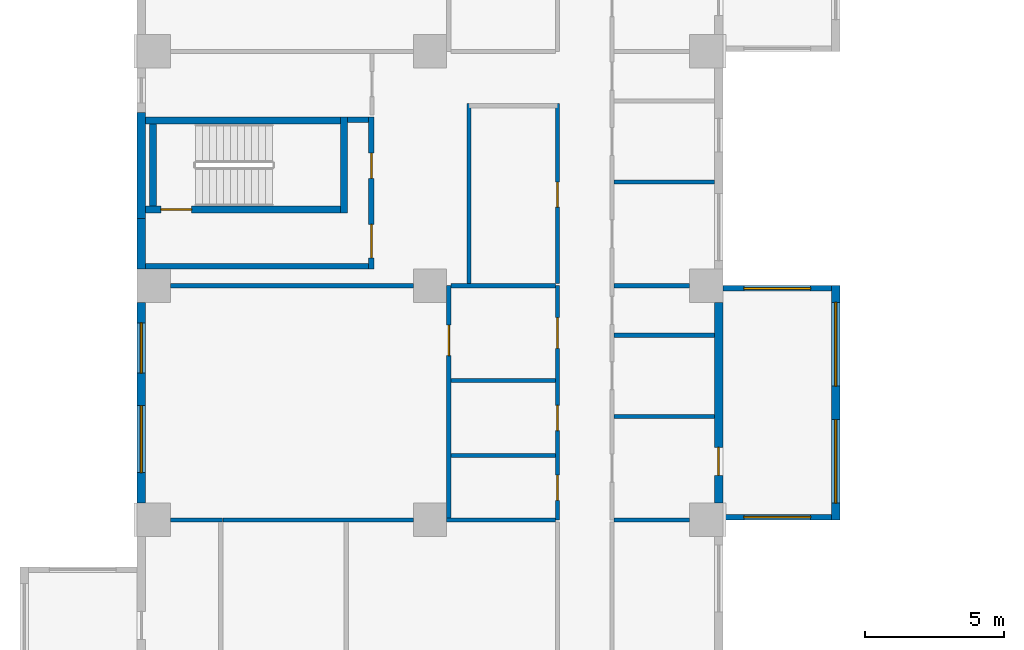
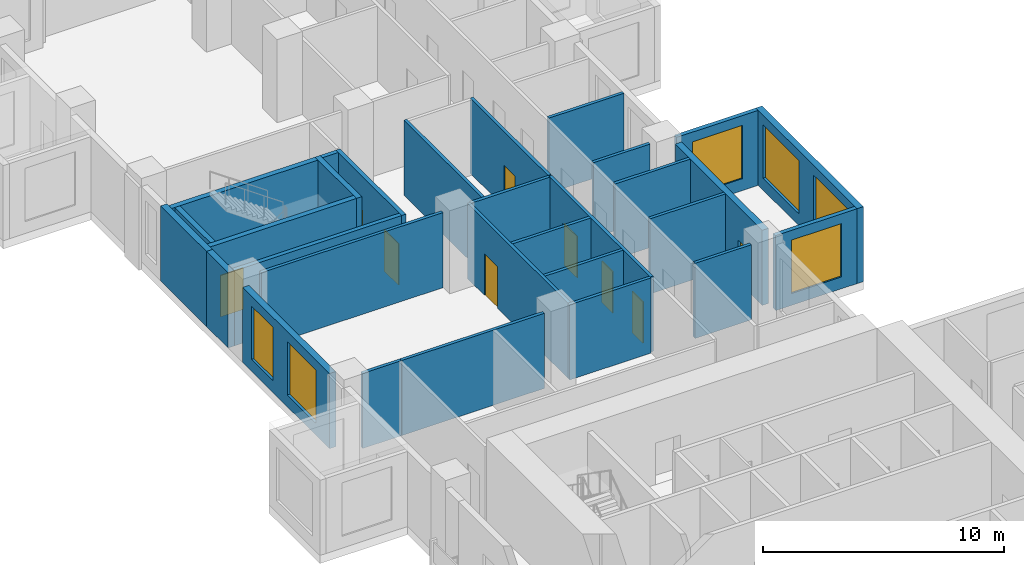
# One storey, part 8 of 17: 30 walls, 9 doors, 6 windows, 15 openings.
"""IFC4 building model written with IfcOpenShell, lengths in metres."""

from ifc_helpers import new_model, si_unit, direction, frame, frame_2d, origin, place, context, subcontext, project, spatial, rectangle, extrude, source, transform, mapped, material, layer, layer_set, type_object, element, fill, save


model = new_model("IFC4")

# Units and contexts
model_context = context("Model", 3, precision=1e-05, world=origin(), true_north=direction((0.0, 1.0)))
body_context = subcontext(model_context, "Body", "Model", "MODEL_VIEW")
ifc_project = project(units=[si_unit("LENGTHUNIT", "METRE"), si_unit("AREAUNIT", "SQUARE_METRE"), si_unit("VOLUMEUNIT", "CUBIC_METRE"), si_unit("PLANEANGLEUNIT", "RADIAN"), si_unit("MASSUNIT", "GRAM", prefix="KILO")], contexts=[model_context])

# Site, building, storey
site_placement = place(None, origin())
site = spatial("IfcSite", under=ifc_project, at=site_placement, CompositionType="ELEMENT")
building_placement = place(site_placement, origin())
building = spatial("IfcBuilding", under=site, at=building_placement, Name="Aurelian Terraces", CompositionType="ELEMENT")
storey_placement = place(building_placement, frame((0.0, 0.0, 48.9)))
storey = spatial("IfcBuildingStorey", under=building, at=storey_placement, Name="L09", CompositionType="ELEMENT", Elevation=48.9)

# Wall, openings, windows
ifc_material_1 = material(Name="Concrete fc' 40 MPa", Category="concrete")
ifc_layer_1 = layer(ifc_material_1, 0.3)
ifc_layer_set_1 = layer_set([ifc_layer_1], Name="BOX BEARING WALL 300")
wall_type_1 = type_object("IfcWallType", Name="BOX BEARING WALL 300", PredefinedType="SOLIDWALL", material=ifc_layer_set_1)
wall_1_placement = place(storey_placement, frame((25.05, 29.4, 0.0), z_axis=(0.0, 0.0, 1.0), x_axis=(0.0, 1.0, 0.0)))
wall_1 = element("IfcWall", 1, at=wall_1_placement, inside=storey, type_object=wall_type_1, Name="Box wall L09 J05", PredefinedType="SOLIDWALL", context=body_context, shape_type="SweptSolid", body=[
    extrude(rectangle(XDim=8.4, YDim=0.3, at=frame_2d((4.2, 0.0))), origin(), (0.0, 0.0, 1.0), 3.79),
])
shared_shape_1 = source(origin(), body_context, "Body", "SweptSolid", [
    extrude(rectangle(XDim=3.0, YDim=2.7, at=frame_2d((1.5, 1.35))), frame((0.0, 0.16, 0.0), z_axis=(0.0, -1.0, 0.0), x_axis=(1.0, 0.0, 0.0)), (0.0, 0.0, 1.0), 0.32),
])
opening_1_placement = place(wall_1_placement, frame((0.6, 0.0, 0.6)))
opening_1 = element("IfcOpeningElement", 2, at=opening_1_placement, cuts=wall_1, Name="Opening W3027", PredefinedType="OPENING", context=body_context, shape_type="MappedRepresentation", body=[
    mapped(shared_shape_1, transform((0.0, 0.0, 0.0), scale=1.0)),
])
opening_2_placement = place(wall_1_placement, frame((4.8, 0.0, 0.6)))
opening_2 = element("IfcOpeningElement", 3, at=opening_2_placement, cuts=wall_1, Name="Opening W3027", PredefinedType="OPENING", context=body_context, shape_type="MappedRepresentation", body=[
    mapped(shared_shape_1, transform((0.0, 0.0, 0.0), scale=1.0)),
])
ifc_material_2 = material(Name="Clear glazing", Category="glass")
window_type_1 = type_object("IfcWindowType", Name="W-3000x2700", PartitioningType="SINGLE_PANEL", PredefinedType="WINDOW", material=ifc_material_2)
shared_shape_2 = source(origin(), body_context, "Body", "SweptSolid", [
    extrude(rectangle(XDim=3.0, YDim=2.7, at=frame_2d((1.5, 1.35))), frame((0.0, 0.03, 0.0), z_axis=(0.0, -1.0, 0.0), x_axis=(1.0, 0.0, 0.0)), (0.0, 0.0, 1.0), 0.06),
])
window_1_placement = place(opening_1_placement, origin())
window_1 = element("IfcWindow", 4, at=window_1_placement, inside=storey, type_object=window_type_1, Name="Window L09 J05-F1", OverallHeight=2.7, OverallWidth=3.0, PartitioningType="SINGLE_PANEL", PredefinedType="WINDOW", context=body_context, shape_type="MappedRepresentation", body=[
    mapped(shared_shape_2, transform((0.0, 0.0, 0.0), scale=1.0)),
])
fill(opening_1, window_1)
window_2_placement = place(opening_2_placement, origin())
window_2 = element("IfcWindow", 5, at=window_2_placement, inside=storey, type_object=window_type_1, Name="Window L09 J05-F2", OverallHeight=2.7, OverallWidth=3.0, PartitioningType="SINGLE_PANEL", PredefinedType="WINDOW", context=body_context, shape_type="MappedRepresentation", body=[
    mapped(shared_shape_2, transform((0.0, 0.0, 0.0), scale=1.0)),
])
fill(opening_2, window_2)

# Wall, opening, door
ifc_material_3 = material(Name="Terracotta rainscreen cladding", Category="masonry")
ifc_layer_2 = layer(ifc_material_3, 0.3)
ifc_layer_set_2 = layer_set([ifc_layer_2], Name="EW-300")
wall_type_2 = type_object("IfcWallType", Name="EW-300", PredefinedType="STANDARD", material=ifc_layer_set_2)
shared_shape_3 = source(origin(), body_context, "Body", "SweptSolid", [
    extrude(rectangle(XDim=7.2, YDim=0.3, at=frame_2d((3.6, 0.0))), origin(), (0.0, 0.0, 1.0), 3.8),
])
wall_2_placement = place(storey_placement, frame((20.85, 30.0, 0.0), z_axis=(0.0, 0.0, 1.0), x_axis=(0.0, 1.0, 0.0)))
wall_2 = element("IfcWall", 6, at=wall_2_placement, inside=storey, type_object=wall_type_2, Name="External wall L09 F12.27", PredefinedType="STANDARD", context=body_context, shape_type="MappedRepresentation", body=[
    mapped(shared_shape_3, transform((0.0, 0.0, 0.0), scale=1.0)),
])
shared_shape_4 = source(origin(), body_context, "Body", "SweptSolid", [
    extrude(rectangle(XDim=1.0, YDim=2.1, at=frame_2d((0.5, 1.05))), frame((0.0, 0.16, 0.0), z_axis=(0.0, -1.0, 0.0), x_axis=(1.0, 0.0, 0.0)), (0.0, 0.0, 1.0), 0.32),
])
opening_3_placement = place(wall_2_placement, frame((1.0, 0.0, 0.0)))
opening_3 = element("IfcOpeningElement", 7, at=opening_3_placement, cuts=wall_2, Name="Opening 809005", PredefinedType="OPENING", context=body_context, shape_type="MappedRepresentation", body=[
    mapped(shared_shape_4, transform((0.0, 0.0, 0.0), scale=1.0)),
])
ifc_material_4 = material(Name="Timber door leaf", Category="wood")
door_type_1 = type_object("IfcDoorType", Name="Room door 1000x2100 left", OperationType="SINGLE_SWING_LEFT", PredefinedType="DOOR", material=ifc_material_4)
shared_shape_5 = source(origin(), body_context, "Body", "SweptSolid", [
    extrude(rectangle(XDim=1.0, YDim=2.1, at=frame_2d((0.5, 1.05))), frame((0.0, 0.025, 0.0), z_axis=(0.0, -1.0, 0.0), x_axis=(1.0, 0.0, 0.0)), (0.0, 0.0, 1.0), 0.05),
])
door_1_placement = place(opening_3_placement, origin())
door_1 = element("IfcDoor", 8, at=door_1_placement, inside=storey, type_object=door_type_1, Name="Door 809005", OperationType="SINGLE_SWING_LEFT", OverallHeight=2.1, OverallWidth=1.0, PredefinedType="DOOR", context=body_context, shape_type="MappedRepresentation", body=[
    mapped(shared_shape_5, transform((0.0, 0.0, 0.0), scale=1.0)),
])
fill(opening_3, door_1)

# Wall, openings, windows
wall_3_placement = place(storey_placement, frame((0.15, 37.2, 0.0), z_axis=(0.0, 0.0, 1.0), x_axis=(0.0, -1.0, 0.0)))
wall_3 = element("IfcWall", 9, at=wall_3_placement, inside=storey, type_object=wall_type_2, Name="External wall L09 F18.40", PredefinedType="STANDARD", context=body_context, shape_type="MappedRepresentation", body=[
    mapped(shared_shape_3, transform((0.0, 0.0, 0.0), scale=1.0)),
])
shared_shape_6 = source(origin(), body_context, "Body", "SweptSolid", [
    extrude(rectangle(XDim=1.8, YDim=2.7, at=frame_2d((0.9, 1.35))), frame((0.0, 0.16, 0.0), z_axis=(0.0, -1.0, 0.0), x_axis=(1.0, 0.0, 0.0)), (0.0, 0.0, 1.0), 0.32),
])
opening_4_placement = place(wall_3_placement, frame((0.7375, 0.0, 0.6)))
opening_4 = element("IfcOpeningElement", 10, at=opening_4_placement, cuts=wall_3, Name="Opening W1827", PredefinedType="OPENING", context=body_context, shape_type="MappedRepresentation", body=[
    mapped(shared_shape_6, transform((0.0, 0.0, 0.0), scale=1.0)),
])
shared_shape_7 = source(origin(), body_context, "Body", "SweptSolid", [
    extrude(rectangle(XDim=2.4, YDim=2.7, at=frame_2d((1.2, 1.35))), frame((0.0, 0.16, 0.0), z_axis=(0.0, -1.0, 0.0), x_axis=(1.0, 0.0, 0.0)), (0.0, 0.0, 1.0), 0.32),
])
opening_5_placement = place(wall_3_placement, frame((3.7, 0.0, 0.6)))
opening_5 = element("IfcOpeningElement", 11, at=opening_5_placement, cuts=wall_3, Name="Opening W2427", PredefinedType="OPENING", context=body_context, shape_type="MappedRepresentation", body=[
    mapped(shared_shape_7, transform((0.0, 0.0, 0.0), scale=1.0)),
])
window_type_2 = type_object("IfcWindowType", Name="W-2400x2700", PartitioningType="SINGLE_PANEL", PredefinedType="WINDOW", material=ifc_material_2)
shared_shape_8 = source(origin(), body_context, "Body", "SweptSolid", [
    extrude(rectangle(XDim=2.4, YDim=2.7, at=frame_2d((1.2, 1.35))), frame((0.0, 0.03, 0.0), z_axis=(0.0, -1.0, 0.0), x_axis=(1.0, 0.0, 0.0)), (0.0, 0.0, 1.0), 0.06),
])
window_3_placement = place(opening_5_placement, origin())
window_3 = element("IfcWindow", 12, at=window_3_placement, inside=storey, type_object=window_type_2, Name="Window L09 L09-F18-40-P6.2", OverallHeight=2.7, OverallWidth=2.4, PartitioningType="SINGLE_PANEL", PredefinedType="WINDOW", context=body_context, shape_type="MappedRepresentation", body=[
    mapped(shared_shape_8, transform((0.0, 0.0, 0.0), scale=1.0)),
])
fill(opening_5, window_3)
window_type_3 = type_object("IfcWindowType", Name="W-1800x2700", PartitioningType="SINGLE_PANEL", PredefinedType="WINDOW", material=ifc_material_2)
shared_shape_9 = source(origin(), body_context, "Body", "SweptSolid", [
    extrude(rectangle(XDim=1.8, YDim=2.7, at=frame_2d((0.9, 1.35))), frame((0.0, 0.03, 0.0), z_axis=(0.0, -1.0, 0.0), x_axis=(1.0, 0.0, 0.0)), (0.0, 0.0, 1.0), 0.06),
])
window_4_placement = place(opening_4_placement, origin())
window_4 = element("IfcWindow", 13, at=window_4_placement, inside=storey, type_object=window_type_3, Name="Window L09 L09-F18-40-P6.1", OverallHeight=2.7, OverallWidth=1.8, PartitioningType="SINGLE_PANEL", PredefinedType="WINDOW", context=body_context, shape_type="MappedRepresentation", body=[
    mapped(shared_shape_9, transform((0.0, 0.0, 0.0), scale=1.0)),
])
fill(opening_4, window_4)

# Walls
ifc_layer_3 = layer(ifc_material_1, 0.3)
ifc_layer_set_3 = layer_set([ifc_layer_3], Name="STAIR BAY WALL 300")
wall_type_3 = type_object("IfcWallType", Name="STAIR BAY WALL 300", PredefinedType="SOLIDWALL", material=ifc_layer_set_3)
shared_shape_10 = source(origin(), body_context, "Body", "SweptSolid", [
    extrude(rectangle(XDim=3.8, YDim=0.3, at=frame_2d((1.9, 0.0))), origin(), (0.0, 0.0, 1.0), 3.8),
])
wall_4_placement = place(storey_placement, frame((0.15, 44.0, 0.0), z_axis=(0.0, 0.0, 1.0), x_axis=(0.0, -1.0, 0.0)))
element("IfcWall", 14, at=wall_4_placement, inside=storey, type_object=wall_type_3, Name="Stair bay wall L09 F18.40", PredefinedType="SOLIDWALL", context=body_context, shape_type="MappedRepresentation", body=[
    mapped(shared_shape_10, transform((0.0, 0.0, 0.0), scale=1.0)),
])
shared_shape_11 = source(origin(), body_context, "Body", "SweptSolid", [
    extrude(rectangle(XDim=1.8, YDim=0.3, at=frame_2d((0.9, 0.0))), origin(), (0.0, 0.0, 1.0), 3.8),
])
wall_5_placement = place(storey_placement, frame((0.15, 40.2, 0.0), z_axis=(0.0, 0.0, 1.0), x_axis=(0.0, -1.0, 0.0)))
element("IfcWall", 15, at=wall_5_placement, inside=storey, type_object=wall_type_2, Name="External wall L09 F18.40", PredefinedType="STANDARD", context=body_context, shape_type="MappedRepresentation", body=[
    mapped(shared_shape_11, transform((0.0, 0.0, 0.0), scale=1.0)),
])

# Wall, opening, window
ifc_layer_4 = layer(ifc_material_1, 0.2)
ifc_layer_set_4 = layer_set([ifc_layer_4], Name="BOX BEARING WALL 200")
wall_type_4 = type_object("IfcWallType", Name="BOX BEARING WALL 200", PredefinedType="SOLIDWALL", material=ifc_layer_set_4)
shared_shape_12 = source(origin(), body_context, "Body", "SweptSolid", [
    extrude(rectangle(XDim=3.9, YDim=0.2, at=frame_2d((1.95, 0.0))), origin(), (0.0, 0.0, 1.0), 3.79),
])
wall_6_placement = place(storey_placement, frame((21.0, 29.5, 0.0), z_axis=(0.0, 0.0, 1.0), x_axis=(1.0, 0.0, 0.0)))
wall_6 = element("IfcWall", 16, at=wall_6_placement, inside=storey, type_object=wall_type_4, Name="Box return L09 J05.1", PredefinedType="SOLIDWALL", context=body_context, shape_type="MappedRepresentation", body=[
    mapped(shared_shape_12, transform((0.0, 0.0, 0.0), scale=1.0)),
])
shared_shape_13 = source(origin(), body_context, "Body", "SweptSolid", [
    extrude(rectangle(XDim=2.4, YDim=2.7, at=frame_2d((1.2, 1.35))), frame((0.0, 0.11, 0.0), z_axis=(0.0, -1.0, 0.0), x_axis=(1.0, 0.0, 0.0)), (0.0, 0.0, 1.0), 0.22),
])
opening_6_placement = place(wall_6_placement, frame((0.75, 0.0, 0.6)))
opening_6 = element("IfcOpeningElement", 17, at=opening_6_placement, cuts=wall_6, Name="Opening W2427", PredefinedType="OPENING", context=body_context, shape_type="MappedRepresentation", body=[
    mapped(shared_shape_13, transform((0.0, 0.0, 0.0), scale=1.0)),
])
window_5_placement = place(opening_6_placement, origin())
window_5 = element("IfcWindow", 18, at=window_5_placement, inside=storey, type_object=window_type_2, Name="Window L09 J05-S1", OverallHeight=2.7, OverallWidth=2.4, PartitioningType="SINGLE_PANEL", PredefinedType="WINDOW", context=body_context, shape_type="MappedRepresentation", body=[
    mapped(shared_shape_8, transform((0.0, 0.0, 0.0), scale=1.0)),
])
fill(opening_6, window_5)

wall_7_placement = place(storey_placement, frame((21.0, 37.7, 0.0), z_axis=(0.0, 0.0, 1.0), x_axis=(1.0, 0.0, 0.0)))
wall_7 = element("IfcWall", 19, at=wall_7_placement, inside=storey, type_object=wall_type_4, Name="Box return L09 J05.2", PredefinedType="SOLIDWALL", context=body_context, shape_type="MappedRepresentation", body=[
    mapped(shared_shape_12, transform((0.0, 0.0, 0.0), scale=1.0)),
])
opening_7_placement = place(wall_7_placement, frame((0.75, 0.0, 0.6)))
opening_7 = element("IfcOpeningElement", 20, at=opening_7_placement, cuts=wall_7, Name="Opening W2427", PredefinedType="OPENING", context=body_context, shape_type="MappedRepresentation", body=[
    mapped(shared_shape_13, transform((0.0, 0.0, 0.0), scale=1.0)),
])
window_6_placement = place(opening_7_placement, origin())
window_6 = element("IfcWindow", 21, at=window_6_placement, inside=storey, type_object=window_type_2, Name="Window L09 J05-S2", OverallHeight=2.7, OverallWidth=2.4, PartitioningType="SINGLE_PANEL", PredefinedType="WINDOW", context=body_context, shape_type="MappedRepresentation", body=[
    mapped(shared_shape_8, transform((0.0, 0.0, 0.0), scale=1.0)),
])
fill(opening_7, window_6)

# Wall, opening, door
ifc_layer_5 = layer(ifc_material_1, 0.25)
ifc_layer_set_5 = layer_set([ifc_layer_5], Name="Stair enclosure wall 250")
wall_type_5 = type_object("IfcWallType", Name="Stair enclosure wall 250", PredefinedType="SOLIDWALL", material=ifc_layer_set_5)
shared_shape_14 = source(origin(), body_context, "Body", "SweptSolid", [
    extrude(rectangle(XDim=7.0, YDim=0.25, at=frame_2d((3.5, 0.0))), origin(), (0.0, 0.0, 1.0), 3.8),
])
wall_8_placement = place(storey_placement, frame((0.3, 40.525, 0.0), z_axis=(0.0, 0.0, 1.0), x_axis=(1.0, 0.0, 0.0)))
wall_8 = element("IfcWall", 22, at=wall_8_placement, inside=storey, type_object=wall_type_5, Name="L09 core wall ST-S3-W", PredefinedType="SOLIDWALL", context=body_context, shape_type="MappedRepresentation", body=[
    mapped(shared_shape_14, transform((0.0, 0.0, 0.0), scale=1.0)),
])
shared_shape_15 = source(origin(), body_context, "Body", "SweptSolid", [
    extrude(rectangle(XDim=1.1, YDim=2.1, at=frame_2d((0.55, 1.05))), frame((0.0, 0.135, 0.0), z_axis=(0.0, -1.0, 0.0), x_axis=(1.0, 0.0, 0.0)), (0.0, 0.0, 1.0), 0.27),
])
opening_8_placement = place(wall_8_placement, frame((0.55, 0.0, 0.0)))
opening_8 = element("IfcOpeningElement", 23, at=opening_8_placement, cuts=wall_8, Name="Opening 61217", PredefinedType="OPENING", context=body_context, shape_type="MappedRepresentation", body=[
    mapped(shared_shape_15, transform((0.0, 0.0, 0.0), scale=1.0)),
])
ifc_material_5 = material(Name="Steel door leaf", Category="steel")
door_type_2 = type_object("IfcDoorType", Name="Core fire door 1100x2100 right", OperationType="SINGLE_SWING_RIGHT", PredefinedType="DOOR", material=ifc_material_5)
shared_shape_16 = source(origin(), body_context, "Body", "SweptSolid", [
    extrude(rectangle(XDim=1.1, YDim=2.1, at=frame_2d((0.55, 1.05))), frame((0.0, 0.025, 0.0), z_axis=(0.0, -1.0, 0.0), x_axis=(1.0, 0.0, 0.0)), (0.0, 0.0, 1.0), 0.05),
])
door_2_placement = place(opening_8_placement, origin())
door_2 = element("IfcDoor", 24, at=door_2_placement, inside=storey, type_object=door_type_2, Name="Stair door 61217", OperationType="SINGLE_SWING_RIGHT", OverallHeight=2.1, OverallWidth=1.1, PredefinedType="DOOR", context=body_context, shape_type="MappedRepresentation", body=[
    mapped(shared_shape_16, transform((0.0, 0.0, 0.0), scale=1.0)),
])
fill(opening_8, door_2)

# Walls
wall_9_placement = place(storey_placement, frame((0.3, 43.725, 0.0), z_axis=(0.0, 0.0, 1.0), x_axis=(1.0, 0.0, 0.0)))
element("IfcWall", 25, at=wall_9_placement, inside=storey, type_object=wall_type_5, Name="L09 core wall ST-S3-E", PredefinedType="SOLIDWALL", context=body_context, shape_type="MappedRepresentation", body=[
    mapped(shared_shape_14, transform((0.0, 0.0, 0.0), scale=1.0)),
])
shared_shape_17 = source(origin(), body_context, "Body", "SweptSolid", [
    extrude(rectangle(XDim=3.45, YDim=0.25, at=frame_2d((1.725, 0.0))), origin(), (0.0, 0.0, 1.0), 3.8),
])
wall_10_placement = place(storey_placement, frame((7.425, 40.4, 0.0), z_axis=(0.0, 0.0, 1.0), x_axis=(0.0, 1.0, 0.0)))
element("IfcWall", 26, at=wall_10_placement, inside=storey, type_object=wall_type_5, Name="L09 core wall ST-S3-N", PredefinedType="SOLIDWALL", context=body_context, shape_type="MappedRepresentation", body=[
    mapped(shared_shape_17, transform((0.0, 0.0, 0.0), scale=1.0)),
])
shared_shape_18 = source(origin(), body_context, "Body", "SweptSolid", [
    extrude(rectangle(XDim=2.95, YDim=0.25, at=frame_2d((1.475, 0.0))), origin(), (0.0, 0.0, 1.0), 3.8),
])
wall_11_placement = place(storey_placement, frame((0.575, 40.65, 0.0), z_axis=(0.0, 0.0, 1.0), x_axis=(0.0, 1.0, 0.0)))
element("IfcWall", 27, at=wall_11_placement, inside=storey, type_object=wall_type_5, Name="L09 core wall ST-S3-SS", PredefinedType="SOLIDWALL", context=body_context, shape_type="MappedRepresentation", body=[
    mapped(shared_shape_18, transform((0.0, 0.0, 0.0), scale=1.0)),
])
ifc_material_6 = material(Name="Gypsum board on steel studs", Category="steel")
ifc_layer_6 = layer(ifc_material_6, 0.2)
ifc_layer_set_6 = layer_set([ifc_layer_6], Name="Core partition 200")
wall_type_6 = type_object("IfcWallType", Name="Core partition 200", PredefinedType="PARTITIONING", material=ifc_layer_set_6)
shared_shape_19 = source(origin(), body_context, "Body", "SweptSolid", [
    extrude(rectangle(XDim=8.0, YDim=0.2, at=frame_2d((4.0, 0.0))), origin(), (0.0, 0.0, 1.0), 3.8),
])
wall_12_placement = place(storey_placement, frame((0.3, 38.5, 0.0), z_axis=(0.0, 0.0, 1.0), x_axis=(1.0, 0.0, 0.0)))
element("IfcWall", 28, at=wall_12_placement, inside=storey, type_object=wall_type_6, Name="L09 core wall ST-S3-VW", PredefinedType="PARTITIONING", context=body_context, shape_type="MappedRepresentation", body=[
    mapped(shared_shape_19, transform((0.0, 0.0, 0.0), scale=1.0)),
])

# Wall, openings, doors
shared_shape_20 = source(origin(), body_context, "Body", "SweptSolid", [
    extrude(rectangle(XDim=5.45, YDim=0.2, at=frame_2d((2.725, 0.0))), origin(), (0.0, 0.0, 1.0), 3.8),
])
wall_13_placement = place(storey_placement, frame((8.4, 38.4, 0.0), z_axis=(0.0, 0.0, 1.0), x_axis=(0.0, 1.0, 0.0)))
wall_13 = element("IfcWall", 29, at=wall_13_placement, inside=storey, type_object=wall_type_6, Name="L09 core wall ST-S3-BN", PredefinedType="PARTITIONING", context=body_context, shape_type="MappedRepresentation", body=[
    mapped(shared_shape_20, transform((0.0, 0.0, 0.0), scale=1.0)),
])
shared_shape_21 = source(origin(), body_context, "Body", "SweptSolid", [
    extrude(rectangle(XDim=1.2, YDim=2.1, at=frame_2d((0.6, 1.05))), frame((0.0, 0.11, 0.0), z_axis=(0.0, -1.0, 0.0), x_axis=(1.0, 0.0, 0.0)), (0.0, 0.0, 1.0), 0.22),
])
opening_9_placement = place(wall_13_placement, frame((0.4, 0.0, 0.0)))
opening_9 = element("IfcOpeningElement", 30, at=opening_9_placement, cuts=wall_13, Name="Opening 61218", PredefinedType="OPENING", context=body_context, shape_type="MappedRepresentation", body=[
    mapped(shared_shape_21, transform((0.0, 0.0, 0.0), scale=1.0)),
])
shared_shape_22 = source(origin(), body_context, "Body", "SweptSolid", [
    extrude(rectangle(XDim=0.9, YDim=2.1, at=frame_2d((0.45, 1.05))), frame((0.0, 0.11, 0.0), z_axis=(0.0, -1.0, 0.0), x_axis=(1.0, 0.0, 0.0)), (0.0, 0.0, 1.0), 0.22),
])
opening_10_placement = place(wall_13_placement, frame((3.25, 0.0, 0.0)))
opening_10 = element("IfcOpeningElement", 31, at=opening_10_placement, cuts=wall_13, Name="Opening 61219", PredefinedType="OPENING", context=body_context, shape_type="MappedRepresentation", body=[
    mapped(shared_shape_22, transform((0.0, 0.0, 0.0), scale=1.0)),
])
door_type_3 = type_object("IfcDoorType", Name="Core riser door 900x2100 right", OperationType="SINGLE_SWING_RIGHT", PredefinedType="DOOR", material=ifc_material_5)
shared_shape_23 = source(origin(), body_context, "Body", "SweptSolid", [
    extrude(rectangle(XDim=0.9, YDim=2.1, at=frame_2d((0.45, 1.05))), frame((0.0, 0.025, 0.0), z_axis=(0.0, -1.0, 0.0), x_axis=(1.0, 0.0, 0.0)), (0.0, 0.0, 1.0), 0.05),
])
door_3_placement = place(opening_10_placement, origin())
door_3 = element("IfcDoor", 32, at=door_3_placement, inside=storey, type_object=door_type_3, Name="Riser door 61219", OperationType="SINGLE_SWING_RIGHT", OverallHeight=2.1, OverallWidth=0.9, PredefinedType="DOOR", context=body_context, shape_type="MappedRepresentation", body=[
    mapped(shared_shape_23, transform((0.0, 0.0, 0.0), scale=1.0)),
])
fill(opening_10, door_3)
door_type_4 = type_object("IfcDoorType", Name="Core fire door 1200x2100", OperationType="SINGLE_SWING_LEFT", PredefinedType="DOOR", material=ifc_material_5)
shared_shape_24 = source(origin(), body_context, "Body", "SweptSolid", [
    extrude(rectangle(XDim=1.2, YDim=2.1, at=frame_2d((0.6, 1.05))), frame((0.0, 0.025, 0.0), z_axis=(0.0, -1.0, 0.0), x_axis=(1.0, 0.0, 0.0)), (0.0, 0.0, 1.0), 0.05),
])
door_4_placement = place(opening_9_placement, origin())
door_4 = element("IfcDoor", 33, at=door_4_placement, inside=storey, type_object=door_type_4, Name="Vestibule door 61218", OperationType="SINGLE_SWING_LEFT", OverallHeight=2.1, OverallWidth=1.2, PredefinedType="DOOR", context=body_context, shape_type="MappedRepresentation", body=[
    mapped(shared_shape_24, transform((0.0, 0.0, 0.0), scale=1.0)),
])
fill(opening_9, door_4)

# Walls
shared_shape_25 = source(origin(), body_context, "Body", "SweptSolid", [
    extrude(rectangle(XDim=0.75, YDim=0.2, at=frame_2d((0.375, 0.0))), origin(), (0.0, 0.0, 1.0), 3.8),
])
wall_14_placement = place(storey_placement, frame((7.55, 43.75, 0.0), z_axis=(0.0, 0.0, 1.0), x_axis=(1.0, 0.0, 0.0)))
element("IfcWall", 34, at=wall_14_placement, inside=storey, type_object=wall_type_6, Name="L09 core wall ST-S3-RE", PredefinedType="PARTITIONING", context=body_context, shape_type="MappedRepresentation", body=[
    mapped(shared_shape_25, transform((0.0, 0.0, 0.0), scale=1.0)),
])
ifc_layer_7 = layer(ifc_material_6, 0.15)
ifc_layer_set_7 = layer_set([ifc_layer_7], Name="Partition 150")
wall_type_7 = type_object("IfcWallType", Name="Partition 150", PredefinedType="PARTITIONING", material=ifc_layer_set_7)
shared_shape_26 = source(origin(), body_context, "Body", "SweptSolid", [
    extrude(rectangle(XDim=6.45, YDim=0.15, at=frame_2d((3.225, 0.0))), origin(), (0.0, 0.0, 1.0), 3.8),
])
wall_15_placement = place(storey_placement, frame((11.9, 44.325, 0.0), z_axis=(0.0, 0.0, 1.0), x_axis=(0.0, -1.0, 0.0)))
element("IfcWall", 35, at=wall_15_placement, inside=storey, type_object=wall_type_7, Name="Partition", PredefinedType="PARTITIONING", context=body_context, shape_type="MappedRepresentation", body=[
    mapped(shared_shape_26, transform((0.0, 0.0, 0.0), scale=1.0)),
])

# Wall, opening, door
ifc_layer_8 = layer(ifc_material_6, 0.15)
ifc_layer_set_8 = layer_set([ifc_layer_8], Name="Fire partition 150")
wall_type_8 = type_object("IfcWallType", Name="Fire partition 150", PredefinedType="PARTITIONING", material=ifc_layer_set_8)
wall_16_placement = place(storey_placement, frame((15.075, 37.875, 0.0), z_axis=(0.0, 0.0, 1.0), x_axis=(0.0, 1.0, 0.0)))
wall_16 = element("IfcWall", 36, at=wall_16_placement, inside=storey, type_object=wall_type_8, Name="Corridor wall", PredefinedType="PARTITIONING", context=body_context, shape_type="MappedRepresentation", body=[
    mapped(shared_shape_26, transform((0.0, 0.0, 0.0), scale=1.0)),
])
shared_shape_27 = source(origin(), body_context, "Body", "SweptSolid", [
    extrude(rectangle(XDim=0.9, YDim=2.1, at=frame_2d((0.45, 1.05))), frame((0.0, 0.085, 0.0), z_axis=(0.0, -1.0, 0.0), x_axis=(1.0, 0.0, 0.0)), (0.0, 0.0, 1.0), 0.17),
])
opening_11_placement = place(wall_16_placement, frame((2.7375, 0.0, 0.0)))
opening_11 = element("IfcOpeningElement", 37, at=opening_11_placement, cuts=wall_16, Name="Opening 709030", PredefinedType="OPENING", context=body_context, shape_type="MappedRepresentation", body=[
    mapped(shared_shape_27, transform((0.0, 0.0, 0.0), scale=1.0)),
])
door_type_5 = type_object("IfcDoorType", Name="Room door 900x2100 left", OperationType="SINGLE_SWING_LEFT", PredefinedType="DOOR", material=ifc_material_4)
door_5_placement = place(opening_11_placement, origin())
door_5 = element("IfcDoor", 38, at=door_5_placement, inside=storey, type_object=door_type_5, Name="Door 709030", OperationType="SINGLE_SWING_LEFT", OverallHeight=2.1, OverallWidth=0.9, PredefinedType="DOOR", context=body_context, shape_type="MappedRepresentation", body=[
    mapped(shared_shape_23, transform((0.0, 0.0, 0.0), scale=1.0)),
])
fill(opening_11, door_5)

# Walls
shared_shape_28 = source(origin(), body_context, "Body", "SweptSolid", [
    extrude(rectangle(XDim=3.75, YDim=0.15, at=frame_2d((1.875, 0.0))), origin(), (0.0, 0.0, 1.0), 3.8),
])
for number, where, z_axis, x_axis, name in (
    (39, (15.0, 31.7101, 0.0), (0.0, 0.0, 1.0), (-1.0, 0.0, 0.0), "Partition"),
    (40, (15.0, 34.403, 0.0), (0.0, 0.0, 1.0), (-1.0, 0.0, 0.0), "Partition"),
    (41, (15.0, 37.8, 0.0), (0.0, 0.0, 1.0), (-1.0, 0.0, 0.0), "Partition"),
):
    element("IfcWall", number, at=place(storey_placement, frame(where, z_axis=z_axis, x_axis=x_axis)), inside=storey, type_object=wall_type_7, Name=name, PredefinedType="PARTITIONING", context=body_context, shape_type="MappedRepresentation", body=[
        mapped(shared_shape_28, transform((0.0, 0.0, 0.0), scale=1.0)),
    ])
shared_shape_29 = source(origin(), body_context, "Body", "SweptSolid", [
    extrude(rectangle(XDim=8.702, YDim=0.15, at=frame_2d((4.351, 0.0))), origin(), (0.0, 0.0, 1.0), 3.8),
])
wall_17_placement = place(storey_placement, frame((9.901, 37.8, 0.0), z_axis=(0.0, 0.0, 1.0), x_axis=(-1.0, 0.0, 0.0)))
element("IfcWall", 42, at=wall_17_placement, inside=storey, type_object=wall_type_7, Name="Partition", PredefinedType="PARTITIONING", context=body_context, shape_type="MappedRepresentation", body=[
    mapped(shared_shape_29, transform((0.0, 0.0, 0.0), scale=1.0)),
])
shared_shape_30 = source(origin(), body_context, "Body", "SweptSolid", [
    extrude(rectangle(XDim=3.6, YDim=0.15, at=frame_2d((1.8, 0.0))), origin(), (0.0, 0.0, 1.0), 3.8),
])
for number, where, z_axis, x_axis, name in (
    (43, (17.1, 33.1133, 0.0), (0.0, 0.0, 1.0), (1.0, 0.0, 0.0), "Partition"),
    (44, (17.1, 36.024, 0.0), (0.0, 0.0, 1.0), (1.0, 0.0, 0.0), "Partition"),
    (45, (17.1, 41.5133, 0.0), (0.0, 0.0, 1.0), (1.0, 0.0, 0.0), "Partition"),
):
    element("IfcWall", number, at=place(storey_placement, frame(where, z_axis=z_axis, x_axis=x_axis)), inside=storey, type_object=wall_type_7, Name=name, PredefinedType="PARTITIONING", context=body_context, shape_type="MappedRepresentation", body=[
        mapped(shared_shape_30, transform((0.0, 0.0, 0.0), scale=1.0)),
    ])
shared_shape_31 = source(origin(), body_context, "Body", "SweptSolid", [
    extrude(rectangle(XDim=2.701, YDim=0.15, at=frame_2d((1.3505, 0.0))), origin(), (0.0, 0.0, 1.0), 3.8),
])
for number, where, z_axis, x_axis, name in (
    (46, (19.801, 29.4, 0.0), (0.0, 0.0, 1.0), (-1.0, 0.0, 0.0), "Partition"),
    (47, (19.801, 37.8, 0.0), (0.0, 0.0, 1.0), (-1.0, 0.0, 0.0), "Partition"),
):
    element("IfcWall", number, at=place(storey_placement, frame(where, z_axis=z_axis, x_axis=x_axis)), inside=storey, type_object=wall_type_7, Name=name, PredefinedType="PARTITIONING", context=body_context, shape_type="MappedRepresentation", body=[
        mapped(shared_shape_31, transform((0.0, 0.0, 0.0), scale=1.0)),
    ])

# Wall, opening, door
shared_shape_32 = source(origin(), body_context, "Body", "SweptSolid", [
    extrude(rectangle(XDim=8.4, YDim=0.15, at=frame_2d((4.2, 0.0))), origin(), (0.0, 0.0, 1.0), 3.8),
])
wall_18_placement = place(storey_placement, frame((11.175, 29.4, 0.0), z_axis=(0.0, 0.0, 1.0), x_axis=(0.0, 1.0, 0.0)))
wall_18 = element("IfcWall", 48, at=wall_18_placement, inside=storey, type_object=wall_type_7, Name="Partition", PredefinedType="PARTITIONING", context=body_context, shape_type="MappedRepresentation", body=[
    mapped(shared_shape_32, transform((0.0, 0.0, 0.0), scale=1.0)),
])
shared_shape_33 = source(origin(), body_context, "Body", "SweptSolid", [
    extrude(rectangle(XDim=1.1, YDim=2.1, at=frame_2d((0.55, 1.05))), frame((0.0, 0.085, 0.0), z_axis=(0.0, -1.0, 0.0), x_axis=(1.0, 0.0, 0.0)), (0.0, 0.0, 1.0), 0.17),
])
opening_12_placement = place(wall_18_placement, frame((5.889, 0.0, 0.0)))
opening_12 = element("IfcOpeningElement", 49, at=opening_12_placement, cuts=wall_18, Name="Opening 709033", PredefinedType="OPENING", context=body_context, shape_type="MappedRepresentation", body=[
    mapped(shared_shape_33, transform((0.0, 0.0, 0.0), scale=1.0)),
])
door_type_6 = type_object("IfcDoorType", Name="Room door 1100x2100 left", OperationType="SINGLE_SWING_LEFT", PredefinedType="DOOR", material=ifc_material_4)
door_6_placement = place(opening_12_placement, origin())
door_6 = element("IfcDoor", 50, at=door_6_placement, inside=storey, type_object=door_type_6, Name="Door 709033", OperationType="SINGLE_SWING_LEFT", OverallHeight=2.1, OverallWidth=1.1, PredefinedType="DOOR", context=body_context, shape_type="MappedRepresentation", body=[
    mapped(shared_shape_16, transform((0.0, 0.0, 0.0), scale=1.0)),
])
fill(opening_12, door_6)

# Wall, openings, doors
wall_19_placement = place(storey_placement, frame((15.075, 29.4, 0.0), z_axis=(0.0, 0.0, 1.0), x_axis=(0.0, 1.0, 0.0)))
wall_19 = element("IfcWall", 51, at=wall_19_placement, inside=storey, type_object=wall_type_8, Name="Corridor wall", PredefinedType="PARTITIONING", context=body_context, shape_type="MappedRepresentation", body=[
    mapped(shared_shape_32, transform((0.0, 0.0, 0.0), scale=1.0)),
])
opening_13_placement = place(wall_19_placement, frame((6.1515, 0.0, 0.0)))
opening_13 = element("IfcOpeningElement", 52, at=opening_13_placement, cuts=wall_19, Name="Opening 709032", PredefinedType="OPENING", context=body_context, shape_type="MappedRepresentation", body=[
    mapped(shared_shape_33, transform((0.0, 0.0, 0.0), scale=1.0)),
])
opening_14_placement = place(wall_19_placement, frame((0.7051, 0.0, 0.0)))
opening_14 = element("IfcOpeningElement", 53, at=opening_14_placement, cuts=wall_19, Name="Opening 709034", PredefinedType="OPENING", context=body_context, shape_type="MappedRepresentation", body=[
    mapped(shared_shape_27, transform((0.0, 0.0, 0.0), scale=1.0)),
])
opening_15_placement = place(wall_19_placement, frame((3.2065, 0.0, 0.0)))
opening_15 = element("IfcOpeningElement", 54, at=opening_15_placement, cuts=wall_19, Name="Opening 709035", PredefinedType="OPENING", context=body_context, shape_type="MappedRepresentation", body=[
    mapped(shared_shape_27, transform((0.0, 0.0, 0.0), scale=1.0)),
])
door_type_7 = type_object("IfcDoorType", Name="Room door 900x2100 right", OperationType="SINGLE_SWING_RIGHT", PredefinedType="DOOR", material=ifc_material_4)
door_7_placement = place(opening_14_placement, origin())
door_7 = element("IfcDoor", 55, at=door_7_placement, inside=storey, type_object=door_type_7, Name="Door 709034", OperationType="SINGLE_SWING_RIGHT", OverallHeight=2.1, OverallWidth=0.9, PredefinedType="DOOR", context=body_context, shape_type="MappedRepresentation", body=[
    mapped(shared_shape_23, transform((0.0, 0.0, 0.0), scale=1.0)),
])
fill(opening_14, door_7)
door_8_placement = place(opening_15_placement, origin())
door_8 = element("IfcDoor", 56, at=door_8_placement, inside=storey, type_object=door_type_5, Name="Door 709035", OperationType="SINGLE_SWING_LEFT", OverallHeight=2.1, OverallWidth=0.9, PredefinedType="DOOR", context=body_context, shape_type="MappedRepresentation", body=[
    mapped(shared_shape_23, transform((0.0, 0.0, 0.0), scale=1.0)),
])
fill(opening_15, door_8)
door_type_8 = type_object("IfcDoorType", Name="Room door 1100x2100 right", OperationType="SINGLE_SWING_RIGHT", PredefinedType="DOOR", material=ifc_material_4)
door_9_placement = place(opening_13_placement, origin())
door_9 = element("IfcDoor", 57, at=door_9_placement, inside=storey, type_object=door_type_8, Name="Door 709032", OperationType="SINGLE_SWING_RIGHT", OverallHeight=2.1, OverallWidth=1.1, PredefinedType="DOOR", context=body_context, shape_type="MappedRepresentation", body=[
    mapped(shared_shape_16, transform((0.0, 0.0, 0.0), scale=1.0)),
])
fill(opening_13, door_9)

# Walls
shared_shape_34 = source(origin(), body_context, "Body", "SweptSolid", [
    extrude(rectangle(XDim=6.826, YDim=0.15, at=frame_2d((3.413, 0.0))), origin(), (0.0, 0.0, 1.0), 3.8),
])
wall_20_placement = place(storey_placement, frame((9.901, 29.4, 0.0), z_axis=(0.0, 0.0, 1.0), x_axis=(-1.0, 0.0, 0.0)))
element("IfcWall", 58, at=wall_20_placement, inside=storey, type_object=wall_type_7, Name="Partition", PredefinedType="PARTITIONING", context=body_context, shape_type="MappedRepresentation", body=[
    mapped(shared_shape_34, transform((0.0, 0.0, 0.0), scale=1.0)),
])
shared_shape_35 = source(origin(), body_context, "Body", "SweptSolid", [
    extrude(rectangle(XDim=3.901, YDim=0.15, at=frame_2d((1.9505, 0.0))), origin(), (0.0, 0.0, 1.0), 3.8),
])
wall_21_placement = place(storey_placement, frame((15.0, 29.4, 0.0), z_axis=(0.0, 0.0, 1.0), x_axis=(-1.0, 0.0, 0.0)))
element("IfcWall", 59, at=wall_21_placement, inside=storey, type_object=wall_type_7, Name="Partition", PredefinedType="PARTITIONING", context=body_context, shape_type="MappedRepresentation", body=[
    mapped(shared_shape_35, transform((0.0, 0.0, 0.0), scale=1.0)),
])
shared_shape_36 = source(origin(), body_context, "Body", "SweptSolid", [
    extrude(rectangle(XDim=1.856, YDim=0.15, at=frame_2d((0.928, 0.0))), origin(), (0.0, 0.0, 1.0), 3.8),
])
wall_22_placement = place(storey_placement, frame((3.055, 29.4, 0.0), z_axis=(0.0, 0.0, 1.0), x_axis=(-1.0, 0.0, 0.0)))
element("IfcWall", 60, at=wall_22_placement, inside=storey, type_object=wall_type_7, Name="Partition", PredefinedType="PARTITIONING", context=body_context, shape_type="MappedRepresentation", body=[
    mapped(shared_shape_36, transform((0.0, 0.0, 0.0), scale=1.0)),
])

save(model, "model.ifc")
